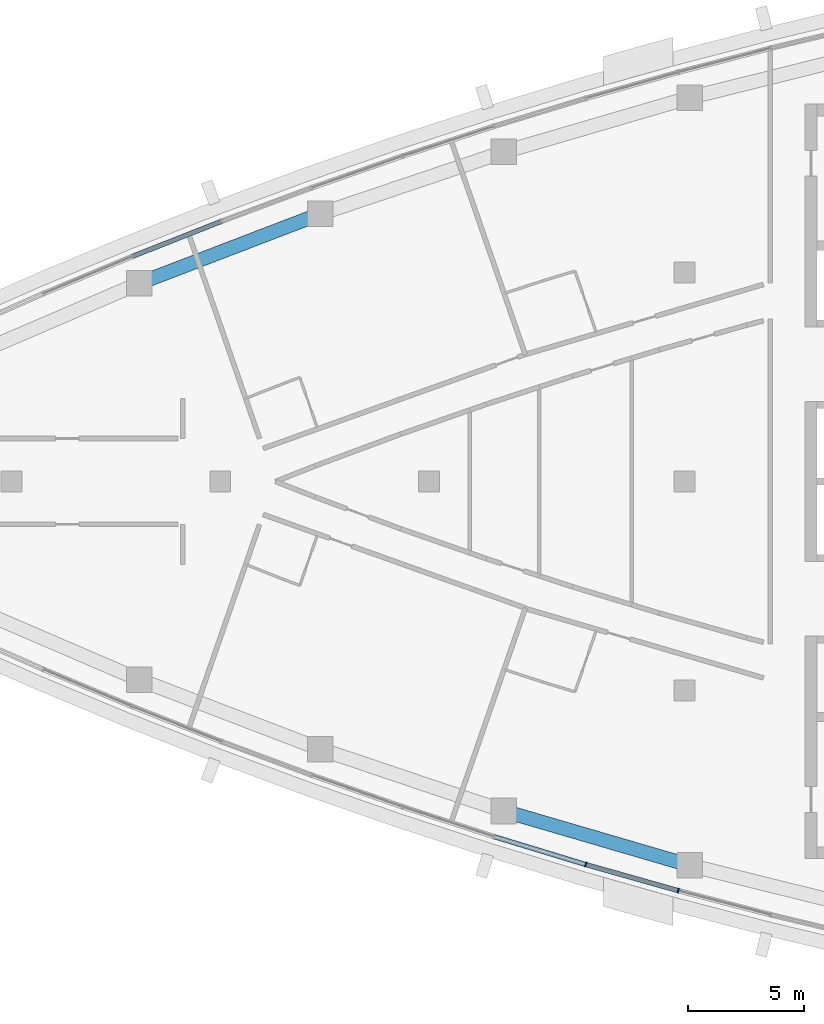
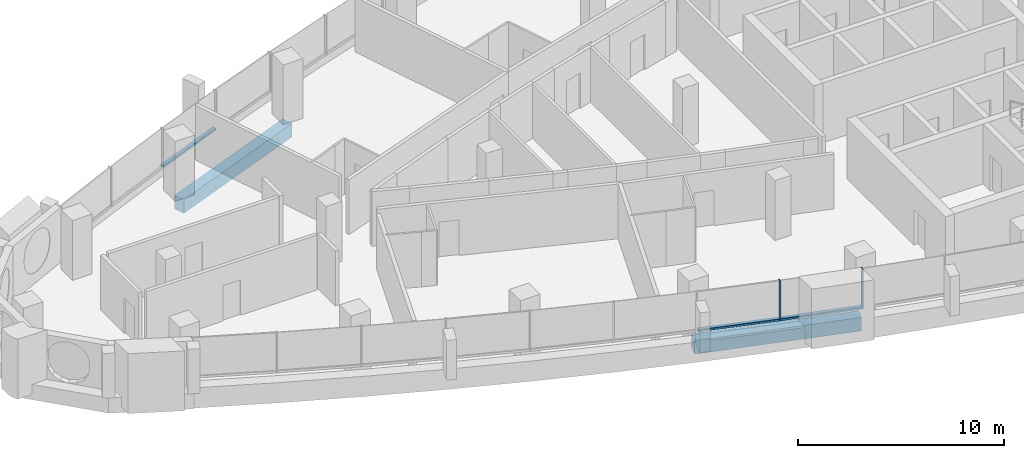
# One storey, part 3 of 14: 5 members, 2 beams, 2 elements without a shape of their own.
"""IFC4 building model written with IfcOpenShell, lengths in metres."""

from ifc_helpers import new_model, si_unit, direction, frame, origin, origin_2d, place, context, subcontext, project, spatial, rectangle, extrude, material, layer, layer_set, material_profile, profile_set, type_object, element, aggregate, save


model = new_model("IFC4")

# Units and contexts
model_context = context("Model", 3, precision=1e-05, world=origin(), true_north=direction((0.0, 1.0)))
body_context = subcontext(model_context, "Body", "Model", "MODEL_VIEW")
ifc_project = project(units=[si_unit("LENGTHUNIT", "METRE"), si_unit("AREAUNIT", "SQUARE_METRE"), si_unit("VOLUMEUNIT", "CUBIC_METRE"), si_unit("PLANEANGLEUNIT", "RADIAN"), si_unit("MASSUNIT", "GRAM", prefix="KILO")], contexts=[model_context])

# Site, building, storey
site_placement = place(None, origin())
site = spatial("IfcSite", under=ifc_project, at=site_placement, CompositionType="ELEMENT")
building_placement = place(site_placement, origin())
building = spatial("IfcBuilding", under=site, at=building_placement, Name="Ostrand Prow Hotel Tower", CompositionType="ELEMENT")
storey_placement = place(building_placement, frame((0.0, 0.0, 278.550048828125)))
storey = spatial("IfcBuildingStorey", under=building, at=storey_placement, Name="L70", CompositionType="ELEMENT", Elevation=278.550048828125)

# Beams
ifc_material_1 = material(Name="Concrete C50/60", Category="concrete")
ifc_material_profile_1 = material_profile(ifc_material_1, rectangle(XDim=0.60009765625, YDim=0.800048828125, at=origin_2d()), Name="RC 600x800")
ifc_profile_set_1 = profile_set([ifc_material_profile_1], Name="Concrete C50/60")
beam_type = type_object("IfcBeamType", Name="Edge beam 600x800 C50/60", PredefinedType="SPANDREL", material=ifc_profile_set_1)
for number, where, z_axis, x_axis, name in (
    (1, (37.22119140625, -14.19580078125, -0.699951171875), (0.959821966031, -0.280609681809, 0.0), (0.280609681809, 0.959821966031, 0.0), "Edge beam S4-S5"),
    (2, (29.31005859375, 11.528076171875, -0.699951171875), (-0.933761753797, -0.357895218111, 0.0), (0.357895218111, -0.933761753797, 0.0), "Edge beam N4-N5"),
):
    element("IfcBeam", number, at=place(storey_placement, frame(where, z_axis=z_axis, x_axis=x_axis)), inside=storey, type_object=beam_type, Name=name, PredefinedType="SPANDREL", context=body_context, shape_type="SweptSolid", body=[
        extrude(rectangle(XDim=0.60009765625, YDim=0.800048828125, at=origin_2d()), origin(), (0.0, 0.0, 1.0), 8.348876953125),
    ])

# Curtain wall, members
ifc_material_2 = material(Name="Insulated glass in bronze anodised frame", Category="glass")
ifc_layer = layer(ifc_material_2, 0.199951171875)
ifc_layer_set = layer_set([ifc_layer], Name="Insulated glass in bronze anodised frame")
curtain_wall_type = type_object("IfcCurtainWallType", Name="Strip curtain wall, fritted glass over bronze spandrel", PredefinedType="NOTDEFINED", material=ifc_layer_set)
curtain_wall_1_placement = place(storey_placement, origin())
curtain_wall_1 = element("IfcCurtainWall", 3, at=curtain_wall_1_placement, inside=storey, type_object=curtain_wall_type, Name="CW1 run CWS4", PredefinedType="NOTDEFINED")
ifc_material_3 = material(Name="Bronze anodised aluminium", Category="aluminium")
ifc_material_profile_2 = material_profile(ifc_material_3, rectangle(XDim=0.199951171875, YDim=0.06005859375, at=origin_2d()), Name="Mullion 60x200 bronze anodised aluminium")
ifc_profile_set_2 = profile_set([ifc_material_profile_2], Name="Bronze anodised aluminium")
member_type_1 = type_object("IfcMemberType", Name="Mullion 60x200 bronze anodised aluminium", PredefinedType="MULLION", material=ifc_profile_set_2)
member_1_placement = place(storey_placement, frame((40.744384765625, -16.502197265625, 0.89990234375), z_axis=(0.0, 0.0, 1.0), x_axis=(0.271648738865, 0.962396468548, 0.0)))
member_1 = element("IfcMember", 4, at=member_1_placement, type_object=member_type_1, Name="CW1 mullion 2", PredefinedType="MULLION", context=body_context, shape_type="SweptSolid", body=[
    extrude(rectangle(XDim=0.199951171875, YDim=0.06005859375, at=origin_2d()), origin(), (0.0, 0.0, 1.0), 2.35009765625),
])
member_2_placement = place(storey_placement, frame((44.728515625, -17.626708984375, 0.89990234375), z_axis=(0.0, 0.0, 1.0), x_axis=(0.271648738865, 0.962396468548, 0.0)))
member_2 = element("IfcMember", 5, at=member_2_placement, type_object=member_type_1, Name="CW1 mullion 3", PredefinedType="MULLION", context=body_context, shape_type="SweptSolid", body=[
    extrude(rectangle(XDim=0.199951171875, YDim=0.06005859375, at=origin_2d()), origin(), (0.0, 0.0, 1.0), 2.35009765625),
])
ifc_material_4 = material(Name="Bronze anodised aluminium", Category="aluminium")
ifc_material_profile_3 = material_profile(ifc_material_4, rectangle(XDim=0.199951171875, YDim=0.1201171875, at=origin_2d()), Name="Transom 120x200 bronze anodised aluminium")
ifc_profile_set_3 = profile_set([ifc_material_profile_3], Name="Bronze anodised aluminium")
member_type_2 = type_object("IfcMemberType", Name="Transom 120x200 bronze anodised aluminium", PredefinedType="USERDEFINED", material=ifc_profile_set_3)
member_3_placement = place(storey_placement, frame((36.8125, -15.306396484375, 0.9599609375), z_axis=(0.956739081124, -0.290947298751, 0.0), x_axis=(0.290947298751, 0.956739081124, 0.0)))
member_3 = element("IfcMember", 6, at=member_3_placement, type_object=member_type_2, Name="CW1 transom 1.1", ObjectType="TRANSOM", PredefinedType="USERDEFINED", context=body_context, shape_type="SweptSolid", body=[
    extrude(rectangle(XDim=0.199951171875, YDim=0.1201171875, at=origin_2d()), origin(), (0.0, 0.0, 1.0), 4.079833984375),
])
member_4_placement = place(storey_placement, frame((40.7734375, -16.51025390625, 0.9599609375), z_axis=(0.962386308628, -0.271684730828, 0.0), x_axis=(0.271684730828, 0.962386308628, 0.0)))
member_4 = element("IfcMember", 7, at=member_4_placement, type_object=member_type_2, Name="CW1 transom 2.1", ObjectType="TRANSOM", PredefinedType="USERDEFINED", context=body_context, shape_type="SweptSolid", body=[
    extrude(rectangle(XDim=0.199951171875, YDim=0.1201171875, at=origin_2d()), origin(), (0.0, 0.0, 1.0), 4.079833984375),
])
aggregate(curtain_wall_1, [member_1, member_2, member_3, member_4])

# Curtain wall, member
curtain_wall_2_placement = place(storey_placement, origin())
curtain_wall_2 = element("IfcCurtainWall", 8, at=curtain_wall_2_placement, inside=storey, type_object=curtain_wall_type, Name="CW1 run CWN4", PredefinedType="NOTDEFINED")
member_5_placement = place(storey_placement, frame((25.0302734375, 11.19921875, 0.9599609375), z_axis=(-0.930289613186, -0.366825892759, 0.0), x_axis=(0.366825892759, -0.930289613186, 0.0)))
member_5 = element("IfcMember", 9, at=member_5_placement, type_object=member_type_2, Name="CW1 transom 2.1", ObjectType="TRANSOM", PredefinedType="USERDEFINED", context=body_context, shape_type="SweptSolid", body=[
    extrude(rectangle(XDim=0.199951171875, YDim=0.1201171875, at=origin_2d()), origin(), (0.0, 0.0, 1.0), 4.079833984375),
])
aggregate(curtain_wall_2, [member_5])

save(model, "model.ifc")
